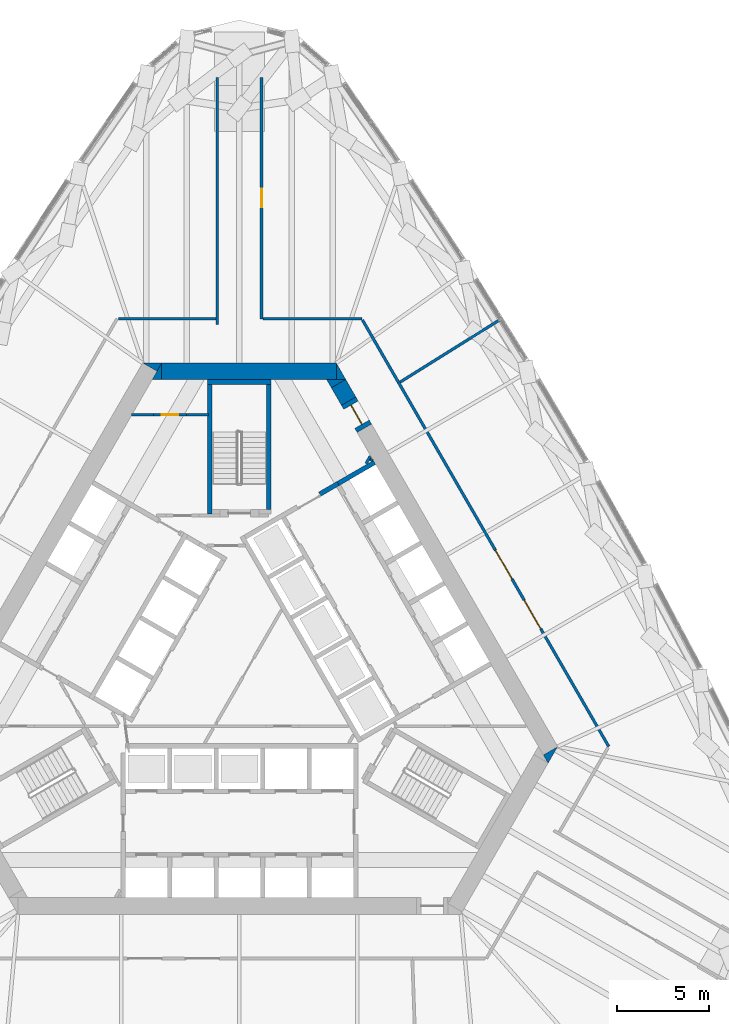
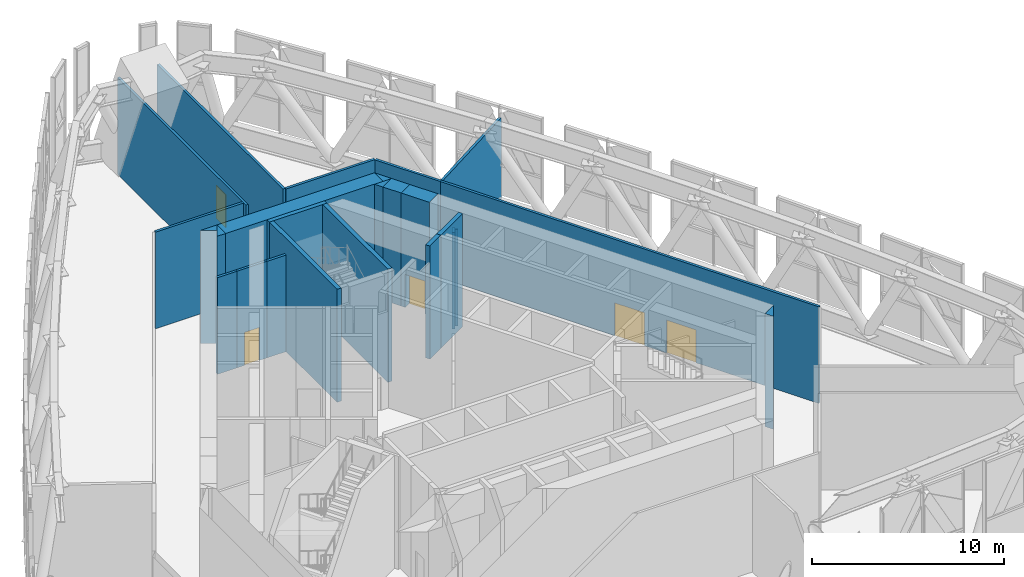
# One storey, part 25 of 33: 25 walls, 5 doors, 5 openings.
"""IFC4 building model written with IfcOpenShell, lengths in metres."""

from ifc_helpers import new_model, si_unit, direction, frame, frame_2d, origin, place, context, subcontext, project, spatial, polyline, rectangle, outline, extrude, material, layer, layer_set, type_object, element, fill, save


model = new_model("IFC4")

# Units and contexts
model_context = context("Model", 3, precision=1e-05, world=origin(), true_north=direction((0.0, 1.0)))
body_context = subcontext(model_context, "Body", "Model", "MODEL_VIEW")
ifc_project = project(units=[si_unit("LENGTHUNIT", "METRE"), si_unit("AREAUNIT", "SQUARE_METRE"), si_unit("VOLUMEUNIT", "CUBIC_METRE"), si_unit("PLANEANGLEUNIT", "RADIAN"), si_unit("MASSUNIT", "GRAM", prefix="KILO")], contexts=[model_context])

# Site, building, storey
site_placement = place(None, origin())
site = spatial("IfcSite", under=ifc_project, at=site_placement, CompositionType="ELEMENT")
building_placement = place(site_placement, origin())
building = spatial("IfcBuilding", under=site, at=building_placement, Name="Mestral Congress Tower", CompositionType="ELEMENT")
storey_placement = place(building_placement, frame((0.0, 0.0, 134.39990234375)))
storey = spatial("IfcBuildingStorey", under=building, at=storey_placement, Name="L32", CompositionType="ELEMENT", Elevation=134.39990234375)

# Walls
ifc_material_1 = material(Name="Fire-rated board partition")
ifc_layer_1 = layer(ifc_material_1, 0.14990234375)
ifc_layer_set_1 = layer_set([ifc_layer_1], Name="Fire-rated board partition")
wall_type_1 = type_object("IfcWallType", Name="Core partition 150", PredefinedType="PARTITIONING", material=ifc_layer_set_1)
wall_1_placement = place(storey_placement, frame((-5.85107421875, 14.10205078125, 0.0), z_axis=(0.0, 0.0, 1.0), x_axis=(1.0, 0.0, 0.0)))
element("IfcWall", 1, at=wall_1_placement, inside=storey, type_object=wall_type_1, Name="L32 core wall", PredefinedType="PARTITIONING", context=body_context, shape_type="SweptSolid", body=[
    extrude(rectangle(XDim=1.18017578125, YDim=0.14990234375, at=frame_2d((0.590087890625, 0.0))), origin(), (0.0, 0.0, 1.0), 6.150146484375),
])
wall_2_placement = place(storey_placement, frame((6.87158203125, 11.44970703125, 0.0), z_axis=(0.0, 0.0, 1.0), x_axis=(0.499846793097, 0.866113839764, 0.0)))
element("IfcWall", 2, at=wall_2_placement, inside=storey, type_object=wall_type_1, Name="L32 core wall", PredefinedType="PARTITIONING", context=body_context, shape_type="SweptSolid", body=[
    extrude(rectangle(XDim=0.453369140625, YDim=0.14990234375, at=frame_2d((0.2265625, 0.0))), origin(), (0.0, 0.0, 1.0), 6.150146484375),
])
wall_3_placement = place(storey_placement, frame((7.13134765625, 11.599609375, 0.0), z_axis=(0.0, 0.0, 1.0), x_axis=(0.498600033135, 0.866832167699, 0.0)))
element("IfcWall", 3, at=wall_3_placement, inside=storey, type_object=wall_type_1, Name="L32 core wall", PredefinedType="PARTITIONING", context=body_context, shape_type="SweptSolid", body=[
    extrude(rectangle(XDim=0.106689453125, YDim=0.14990234375, at=frame_2d((0.05322265625, 0.0))), origin(), (0.0, 0.0, 1.0), 6.150146484375),
])
wall_4_placement = place(storey_placement, frame((-2.87060546875, 14.10205078125, 0.0), z_axis=(0.0, 0.0, 1.0), x_axis=(1.0, 0.0, 0.0)))
element("IfcWall", 4, at=wall_4_placement, inside=storey, type_object=wall_type_1, Name="L32 core wall", PredefinedType="PARTITIONING", context=body_context, shape_type="SweptSolid", body=[
    extrude(rectangle(XDim=1.195556640625, YDim=0.14990234375, at=frame_2d((0.59765625, 0.0))), origin(), (0.0, 0.0, 1.0), 6.150146484375),
])

# Wall, opening, door
wall_5_placement = place(storey_placement, frame((-2.870849609375, 14.10205078125, 0.0), z_axis=(0.0, 0.0, 1.0), x_axis=(-1.0, 0.0, 0.0)))
wall_5 = element("IfcWall", 5, at=wall_5_placement, inside=storey, type_object=wall_type_1, Name="L32 door wall", PredefinedType="PARTITIONING", context=body_context, shape_type="SweptSolid", body=[
    extrude(rectangle(XDim=1.800048828125, YDim=0.14990234375, at=frame_2d((0.89990234375, 0.0))), origin(), (0.0, 0.0, 1.0), 6.150146484375),
])
opening_1_placement = place(wall_5_placement, frame((0.449951171875, 0.0, 0.0)))
opening_1 = element("IfcOpeningElement", 6, at=opening_1_placement, cuts=wall_5, Name="Opening SD-WS2", PredefinedType="OPENING", context=body_context, shape_type="SweptSolid", body=[
    extrude(rectangle(XDim=0.89990234375, YDim=2.10009765625, at=frame_2d((0.449951171875, 1.050048828125))), frame((0.0, 0.0849609375, 0.0), z_axis=(0.0, -1.0, 0.0), x_axis=(1.0, 0.0, 0.0)), (0.0, 0.0, 1.0), 0.169921875),
])
ifc_material_2 = material(Name="Fire-rated steel door set", Category="steel")
door_type_1 = type_object("IfcDoorType", Name="Core door SR 900x2100", OperationType="SINGLE_SWING_LEFT", PredefinedType="DOOR", material=ifc_material_2)
door_1_placement = place(opening_1_placement, origin())
door_1 = element("IfcDoor", 7, at=door_1_placement, inside=storey, type_object=door_type_1, Name="Door SD-WS2", OperationType="SINGLE_SWING_LEFT", OverallHeight=2.10009765625, OverallWidth=0.89990234375, PredefinedType="DOOR", context=body_context, shape_type="SweptSolid", body=[
    extrude(rectangle(XDim=0.89990234375, YDim=2.10009765625, at=frame_2d((0.449951171875, 1.050048828125))), frame((0.0, 0.02490234375, 0.0), z_axis=(0.0, -1.0, 0.0), x_axis=(1.0, 0.0, 0.0)), (0.0, 0.0, 1.0), 0.050048828125),
])
fill(opening_1, door_1)

# Walls
ifc_material_3 = material(Name="Concrete C60/75", Category="concrete")
ifc_layer_2 = layer(ifc_material_3, 0.89990234375)
ifc_layer_set_2 = layer_set([ifc_layer_2], Name="Concrete C60/75")
wall_type_2 = type_object("IfcWallType", Name="Core wall RC 900", PredefinedType="SOLIDWALL", material=ifc_layer_set_2)
placement = place(storey_placement, origin())
element("IfcWall", 8, at=placement, inside=storey, type_object=wall_type_2, Name="L32 core wall", PredefinedType="SOLIDWALL", context=body_context, shape_type="SweptSolid", body=[
    extrude(outline(polyline([(16.7431640625, -4.800048828125), (16.4892578125, -4.360107421875), (17.251220703125, -3.920166015625), (16.7431640625, -4.800048828125)])), origin(), (0.0, 0.0, 1.0), 7.2001953125),
])
element("IfcWall", 9, at=placement, inside=storey, type_object=wall_type_2, Name="L32 core wall", PredefinedType="SOLIDWALL", context=body_context, shape_type="SweptSolid", body=[
    extrude(outline(polyline([(-4.214599609375, 16.89990234375), (-4.46875, 16.460205078125), (-5.230712890625, 16.89990234375), (-4.214599609375, 16.89990234375)])), origin(), (0.0, 0.0, 1.0), 7.2001953125),
])
wall_8_placement = place(storey_placement, frame((-4.224365234375, 16.449951171875, 0.0), z_axis=(0.0, 0.0, 1.0), x_axis=(1.0, 0.0, 0.0)))
element("IfcWall", 10, at=wall_8_placement, inside=storey, type_object=wall_type_2, Name="L32 core wall", PredefinedType="SOLIDWALL", context=body_context, shape_type="SweptSolid", body=[
    extrude(rectangle(XDim=9.48779296875, YDim=0.89990234375, at=frame_2d((4.743896484375, 0.0))), origin(), (0.0, 0.0, 1.0), 7.2001953125),
])
element("IfcWall", 11, at=placement, inside=storey, type_object=wall_type_2, Name="L32 core wall", PredefinedType="SOLIDWALL", context=body_context, shape_type="SweptSolid", body=[
    extrude(outline(polyline([(5.265380859375, 16.0), (5.265380859375, 16.8798828125), (5.7734375, 16.0), (5.265380859375, 16.0)])), origin(), (0.0, 0.0, 1.0), 7.2001953125),
])
element("IfcWall", 12, at=placement, inside=storey, type_object=wall_type_2, Name="L32 core wall", PredefinedType="SOLIDWALL", context=body_context, shape_type="SweptSolid", body=[
    extrude(outline(polyline([(-4.734375, 16.0), (-4.226318359375, 16.8798828125), (-4.226318359375, 16.0), (-4.734375, 16.0)])), origin(), (0.0, 0.0, 1.0), 7.2001953125),
])
wall_11_placement = place(storey_placement, frame((5.92578125, 14.836181640625, 0.0), z_axis=(0.0, 0.0, 1.0), x_axis=(-0.500076735116, 0.865981096212, 0.0)))
element("IfcWall", 13, at=wall_11_placement, inside=storey, type_object=wall_type_2, Name="L32 core wall", PredefinedType="SOLIDWALL", context=body_context, shape_type="SweptSolid", body=[
    extrude(rectangle(XDim=1.093505859375, YDim=0.89990234375, at=frame_2d((0.546875, 0.0))), origin(), (0.0, 0.0, 1.0), 7.2001953125),
])
element("IfcWall", 14, at=placement, inside=storey, type_object=wall_type_2, Name="L32 core wall", PredefinedType="SOLIDWALL", context=body_context, shape_type="SweptSolid", body=[
    extrude(outline(polyline([(4.734375, 16.0), (5.750244140625, 16.0), (4.98828125, 15.56005859375), (4.734375, 16.0)])), origin(), (0.0, 0.0, 1.0), 7.2001953125),
])

# Wall, opening, door
wall_13_placement = place(storey_placement, frame((5.92578125, 14.836181640625, 0.0), z_axis=(0.0, 0.0, 1.0), x_axis=(0.500062241894, -0.865989465428, 0.0)))
wall_13 = element("IfcWall", 15, at=wall_13_placement, inside=storey, type_object=wall_type_2, Name="L32 door wall", PredefinedType="SOLIDWALL", context=body_context, shape_type="SweptSolid", body=[
    extrude(rectangle(XDim=1.699951171875, YDim=0.89990234375, at=frame_2d((0.85009765625, 0.0))), origin(), (0.0, 0.0, 1.0), 7.2001953125),
])
opening_2_placement = place(wall_13_placement, frame((0.25, 0.0, 0.0)))
opening_2 = element("IfcOpeningElement", 16, at=opening_2_placement, cuts=wall_13, Name="Opening XD2", PredefinedType="OPENING", context=body_context, shape_type="SweptSolid", body=[
    extrude(rectangle(XDim=1.199951171875, YDim=2.10009765625, at=frame_2d((0.60009765625, 1.050048828125))), frame((0.0, 0.4599609375, 0.0), z_axis=(0.0, -1.0, 0.0), x_axis=(1.0, 0.0, 0.0)), (0.0, 0.0, 1.0), 0.919921875),
])
door_type_2 = type_object("IfcDoorType", Name="Core door XD 1200x2100", OperationType="SINGLE_SWING_LEFT", PredefinedType="DOOR", material=ifc_material_2)
door_2_placement = place(opening_2_placement, origin())
door_2 = element("IfcDoor", 17, at=door_2_placement, inside=storey, type_object=door_type_2, Name="Door XD2", OperationType="SINGLE_SWING_LEFT", OverallHeight=2.10009765625, OverallWidth=1.199951171875, PredefinedType="DOOR", context=body_context, shape_type="SweptSolid", body=[
    extrude(rectangle(XDim=1.199951171875, YDim=2.10009765625, at=frame_2d((0.60009765625, 1.050048828125))), frame((0.0, 0.02490234375, 0.0), z_axis=(0.0, -1.0, 0.0), x_axis=(1.0, 0.0, 0.0)), (0.0, 0.0, 1.0), 0.050048828125),
])
fill(opening_2, door_2)

# Walls
ifc_layer_3 = layer(ifc_material_3, 0.25)
ifc_layer_set_3 = layer_set([ifc_layer_3], Name="Concrete C60/75")
wall_type_3 = type_object("IfcWallType", Name="Shaft wall RC 250", PredefinedType="SOLIDWALL", material=ifc_layer_set_3)
wall_14_placement = place(storey_placement, frame((4.3583984375, 9.791015625, 0.0), z_axis=(0.0, 0.0, 1.0), x_axis=(0.866079547155, 0.499906209203, 0.0)))
element("IfcWall", 18, at=wall_14_placement, inside=storey, type_object=wall_type_3, Name="L32 core wall", PredefinedType="SOLIDWALL", context=body_context, shape_type="SweptSolid", body=[
    extrude(rectangle(XDim=1.150146484375, YDim=0.25, at=frame_2d((0.5751953125, 0.0))), origin(), (0.0, 0.0, 1.0), 7.2001953125),
])
wall_15_placement = place(storey_placement, frame((5.356201171875, 10.366943359375, 0.0), z_axis=(0.0, 0.0, 1.0), x_axis=(0.865978535641, 0.50008116922, 0.0)))
element("IfcWall", 19, at=wall_15_placement, inside=storey, type_object=wall_type_3, Name="L32 core wall", PredefinedType="SOLIDWALL", context=body_context, shape_type="SweptSolid", body=[
    extrude(rectangle(XDim=2.27783203125, YDim=0.25, at=frame_2d((1.138916015625, 0.0))), origin(), (0.0, 0.0, 1.0), 7.2001953125),
])

# Wall, opening, door
ifc_layer_4 = layer(ifc_material_1, 0.14990234375)
ifc_layer_set_4 = layer_set([ifc_layer_4], Name="Fire-rated board partition")
wall_type_4 = type_object("IfcWallType", Name="Special partition 150 EI 120", PredefinedType="PARTITIONING", material=ifc_layer_set_4)
wall_16_placement = place(storey_placement, frame((1.199951171875, 19.300048828125, 0.0), z_axis=(0.0, 0.0, 1.0), x_axis=(0.0, 1.0, 0.0)))
wall_16 = element("IfcWall", 20, at=wall_16_placement, inside=storey, type_object=wall_type_4, Name="Partition", PredefinedType="PARTITIONING", context=body_context, shape_type="SweptSolid", body=[
    extrude(rectangle(XDim=13.098388671875, YDim=0.14990234375, at=frame_2d((6.54931640625, 0.0))), origin(), (0.0, 0.0, 1.0), 6.150146484375),
])
opening_3_placement = place(wall_16_placement, frame((6.04931640625, 0.0, 0.0)))
opening_3 = element("IfcOpeningElement", 21, at=opening_3_placement, cuts=wall_16, Name="Opening S32-007", PredefinedType="OPENING", context=body_context, shape_type="SweptSolid", body=[
    extrude(rectangle(XDim=1.0, YDim=2.10009765625, at=frame_2d((0.5, 1.050048828125))), frame((0.0, 0.0849609375, 0.0), z_axis=(0.0, -1.0, 0.0), x_axis=(1.0, 0.0, 0.0)), (0.0, 0.0, 1.0), 0.169921875),
])
door_type_3 = type_object("IfcDoorType", Name="Service door 1000x2100", OperationType="SINGLE_SWING_LEFT", PredefinedType="DOOR", material=ifc_material_2)
door_3_placement = place(opening_3_placement, origin())
door_3 = element("IfcDoor", 22, at=door_3_placement, inside=storey, type_object=door_type_3, Name="Door S32-007", OperationType="SINGLE_SWING_RIGHT", OverallHeight=2.10009765625, OverallWidth=1.0, PredefinedType="DOOR", context=body_context, shape_type="SweptSolid", body=[
    extrude(rectangle(XDim=1.0, YDim=2.10009765625, at=frame_2d((0.5, 1.050048828125))), frame((0.0, 0.02490234375, 0.0), z_axis=(0.0, -1.0, 0.0), x_axis=(1.0, 0.0, 0.0)), (0.0, 0.0, 1.0), 0.050048828125),
])
fill(opening_3, door_3)

# Walls
wall_17_placement = place(storey_placement, frame((8.71484375, 15.865478515625, 0.0), z_axis=(0.0, 0.0, 1.0), x_axis=(0.847972904634, 0.53003957683, 0.0)))
element("IfcWall", 23, at=wall_17_placement, inside=storey, type_object=wall_type_4, Name="Partition", PredefinedType="PARTITIONING", context=body_context, shape_type="SweptSolid", body=[
    extrude(rectangle(XDim=6.480224609375, YDim=0.14990234375, at=frame_2d((3.240234375, 0.0))), origin(), (0.0, 0.0, 1.0), 6.150146484375),
])
wall_18_placement = place(storey_placement, frame((1.280029296875, 19.300048828125, 0.0), z_axis=(0.0, 0.0, 1.0), x_axis=(1.0, 0.0, 0.0)))
element("IfcWall", 24, at=wall_18_placement, inside=storey, type_object=wall_type_4, Name="Partition", PredefinedType="PARTITIONING", context=body_context, shape_type="SweptSolid", body=[
    extrude(rectangle(XDim=5.359375, YDim=0.14990234375, at=frame_2d((2.6796875, 0.0))), origin(), (0.0, 0.0, 1.0), 6.150146484375),
])
wall_19_placement = place(storey_placement, frame((6.674560546875, 19.239501953125, 0.0), z_axis=(0.0, 0.0, 1.0), x_axis=(0.499962322852, -0.866047155603, 0.0)))
element("IfcWall", 25, at=wall_19_placement, inside=storey, type_object=wall_type_4, Name="Partition", PredefinedType="PARTITIONING", context=body_context, shape_type="SweptSolid", body=[
    extrude(rectangle(XDim=3.935302734375, YDim=0.14990234375, at=frame_2d((1.9677734375, 0.0))), origin(), (0.0, 0.0, 1.0), 6.150146484375),
])

# Wall, openings, doors
ifc_layer_5 = layer(ifc_material_1, 0.14990234375)
ifc_layer_set_5 = layer_set([ifc_layer_5], Name="Fire-rated board partition")
wall_type_5 = type_object("IfcWallType", Name="Special partition 150 EI 180", PredefinedType="PARTITIONING", material=ifc_layer_set_5)
wall_20_placement = place(storey_placement, frame((20.0341796875, -3.89990234375, 0.0), z_axis=(0.0, 0.0, 1.0), x_axis=(-0.500006098403, 0.866021882841, 0.0)))
wall_20 = element("IfcWall", 26, at=wall_20_placement, inside=storey, type_object=wall_type_5, Name="Partition", PredefinedType="PARTITIONING", context=body_context, shape_type="SweptSolid", body=[
    extrude(rectangle(XDim=22.774169921875, YDim=0.14990234375, at=frame_2d((11.38720703125, 0.0))), origin(), (0.0, 0.0, 1.0), 6.150146484375),
])
opening_4_placement = place(wall_20_placement, frame((10.4873046875, 0.0, 0.0)))
opening_4 = element("IfcOpeningElement", 27, at=opening_4_placement, cuts=wall_20, Name="Opening S32-005", PredefinedType="OPENING", context=body_context, shape_type="SweptSolid", body=[
    extrude(rectangle(XDim=1.800048828125, YDim=2.10009765625, at=frame_2d((0.89990234375, 1.050048828125))), frame((0.0, 0.0849609375, 0.0), z_axis=(0.0, -1.0, 0.0), x_axis=(1.0, 0.0, 0.0)), (0.0, 0.0, 1.0), 0.169921875),
])
opening_5_placement = place(wall_20_placement, frame((7.376953125, 0.0, 0.0)))
opening_5 = element("IfcOpeningElement", 28, at=opening_5_placement, cuts=wall_20, Name="Opening S32-006", PredefinedType="OPENING", context=body_context, shape_type="SweptSolid", body=[
    extrude(rectangle(XDim=1.800048828125, YDim=2.10009765625, at=frame_2d((0.89990234375, 1.050048828125))), frame((0.0, 0.0849609375, 0.0), z_axis=(0.0, -1.0, 0.0), x_axis=(1.0, 0.0, 0.0)), (0.0, 0.0, 1.0), 0.169921875),
])
door_type_4 = type_object("IfcDoorType", Name="Assembly double door 1800x2100", OperationType="DOUBLE_DOOR_SINGLE_SWING", PredefinedType="DOOR", material=ifc_material_2)
door_4_placement = place(opening_4_placement, origin())
door_4 = element("IfcDoor", 29, at=door_4_placement, inside=storey, type_object=door_type_4, Name="Door S32-005", OperationType="DOUBLE_DOOR_SINGLE_SWING", OverallHeight=2.10009765625, OverallWidth=1.800048828125, PredefinedType="DOOR", context=body_context, shape_type="SweptSolid", body=[
    extrude(rectangle(XDim=1.800048828125, YDim=2.10009765625, at=frame_2d((0.89990234375, 1.050048828125))), frame((0.0, 0.02490234375, 0.0), z_axis=(0.0, -1.0, 0.0), x_axis=(1.0, 0.0, 0.0)), (0.0, 0.0, 1.0), 0.050048828125),
])
fill(opening_4, door_4)
door_5_placement = place(opening_5_placement, origin())
door_5 = element("IfcDoor", 30, at=door_5_placement, inside=storey, type_object=door_type_4, Name="Door S32-006", OperationType="DOUBLE_DOOR_SINGLE_SWING", OverallHeight=2.10009765625, OverallWidth=1.800048828125, PredefinedType="DOOR", context=body_context, shape_type="SweptSolid", body=[
    extrude(rectangle(XDim=1.800048828125, YDim=2.10009765625, at=frame_2d((0.89990234375, 1.050048828125))), frame((0.0, 0.02490234375, 0.0), z_axis=(0.0, -1.0, 0.0), x_axis=(1.0, 0.0, 0.0)), (0.0, 0.0, 1.0), 0.050048828125),
])
fill(opening_5, door_5)

# Walls
wall_21_placement = place(storey_placement, frame((-1.199951171875, 19.0, 0.0), z_axis=(0.0, 0.0, 1.0), x_axis=(0.0, 1.0, 0.0)))
element("IfcWall", 31, at=wall_21_placement, inside=storey, type_object=wall_type_5, Name="Partition", PredefinedType="PARTITIONING", context=body_context, shape_type="SweptSolid", body=[
    extrude(rectangle(XDim=13.3984375, YDim=0.14990234375, at=frame_2d((6.69921875, 0.0))), origin(), (0.0, 0.0, 1.0), 6.150146484375),
])
wall_22_placement = place(storey_placement, frame((-6.569580078125, 19.300048828125, 0.0), z_axis=(0.0, 0.0, 1.0), x_axis=(1.0, 0.0, 0.0)))
element("IfcWall", 32, at=wall_22_placement, inside=storey, type_object=wall_type_5, Name="Partition", PredefinedType="PARTITIONING", context=body_context, shape_type="SweptSolid", body=[
    extrude(rectangle(XDim=5.28955078125, YDim=0.14990234375, at=frame_2d((2.644775390625, 0.0))), origin(), (0.0, 0.0, 1.0), 6.150146484375),
])
ifc_layer_6 = layer(ifc_material_3, 0.25)
ifc_layer_set_6 = layer_set([ifc_layer_6], Name="Concrete C60/75")
wall_type_6 = type_object("IfcWallType", Name="Stair wall RC 250", PredefinedType="SOLIDWALL", material=ifc_layer_set_6)
wall_23_placement = place(storey_placement, frame((-1.72509765625, 15.875, 0.0), z_axis=(0.0, 0.0, 1.0), x_axis=(1.0, 0.0, 0.0)))
element("IfcWall", 33, at=wall_23_placement, inside=storey, type_object=wall_type_6, Name="L32 core wall", PredefinedType="SOLIDWALL", context=body_context, shape_type="SweptSolid", body=[
    extrude(rectangle(XDim=3.4501953125, YDim=0.25, at=frame_2d((1.72509765625, 0.0))), origin(), (0.0, 0.0, 1.0), 7.2001953125),
])
wall_24_placement = place(storey_placement, frame((1.60009765625, 8.949951171875, 0.0), z_axis=(0.0, 0.0, 1.0), x_axis=(0.0, 1.0, 0.0)))
element("IfcWall", 34, at=wall_24_placement, inside=storey, type_object=wall_type_6, Name="L32 core wall", PredefinedType="SOLIDWALL", context=body_context, shape_type="SweptSolid", body=[
    extrude(rectangle(XDim=6.800048828125, YDim=0.25, at=frame_2d((3.39990234375, 0.0))), origin(), (0.0, 0.0, 1.0), 7.2001953125),
])
wall_25_placement = place(storey_placement, frame((-1.60009765625, 8.699951171875, 0.0), z_axis=(0.0, 0.0, 1.0), x_axis=(0.0, 1.0, 0.0)))
element("IfcWall", 35, at=wall_25_placement, inside=storey, type_object=wall_type_6, Name="L32 core wall", PredefinedType="SOLIDWALL", context=body_context, shape_type="SweptSolid", body=[
    extrude(rectangle(XDim=7.050048828125, YDim=0.25, at=frame_2d((3.52490234375, 0.0))), origin(), (0.0, 0.0, 1.0), 7.2001953125),
])

save(model, "model.ifc")
